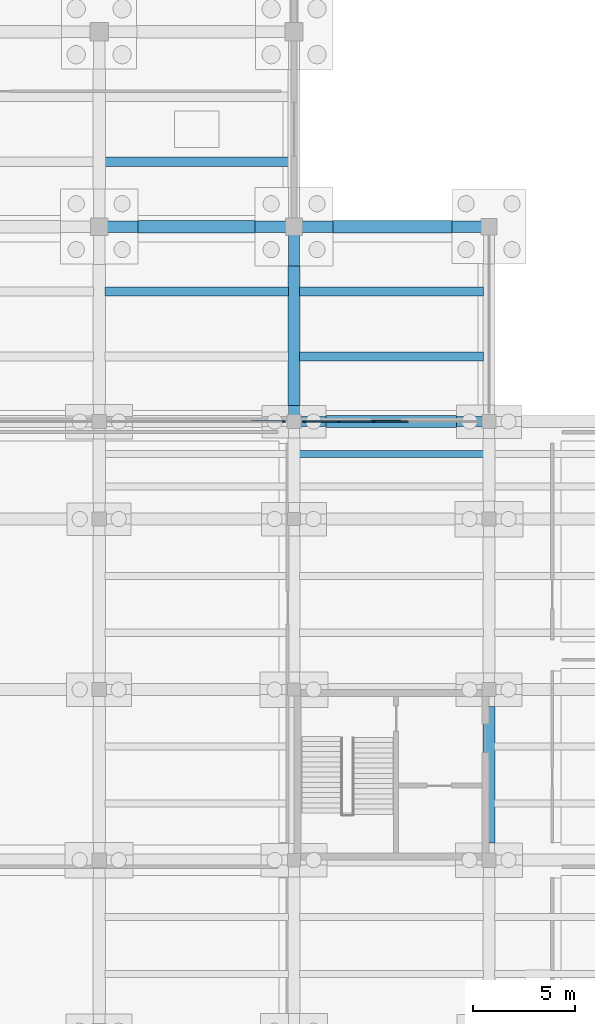
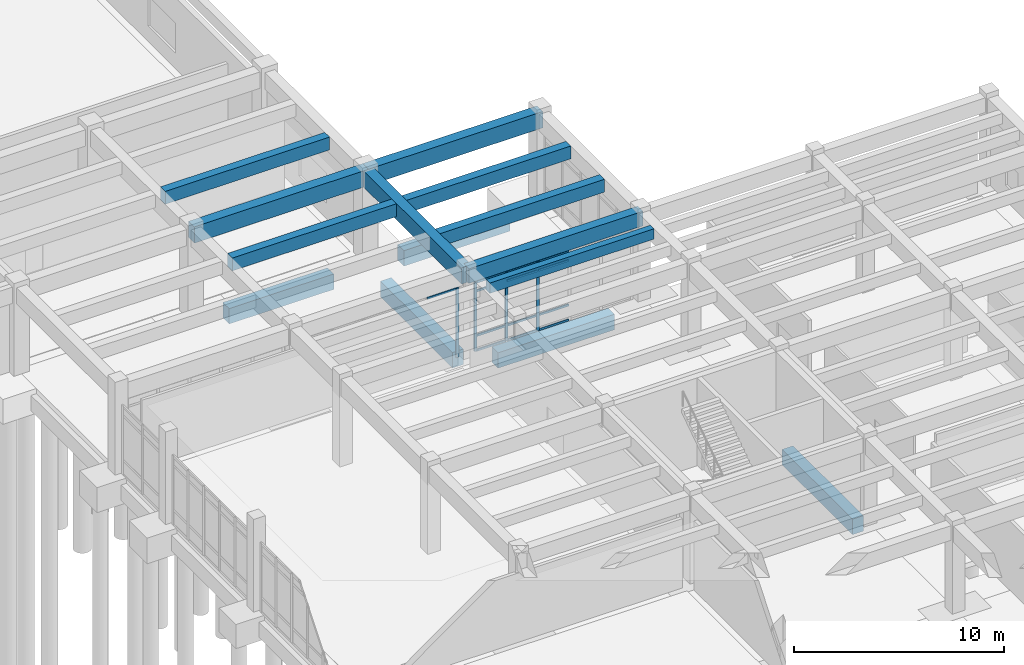
# One storey, part 52 of 102: 17 members, 14 beams, 2 elements without a shape of their own.
"""IFC4 building model written with IfcOpenShell, lengths in metres."""

from ifc_helpers import new_model, si_unit, direction, frame, origin, origin_2d, place, context, subcontext, project, spatial, rectangle, extrude, material, layer, layer_set, material_profile, profile_set, type_object, element, aggregate, save


model = new_model("IFC4")

# Units and contexts
model_context = context("Model", 3, precision=1e-05, world=origin(), true_north=direction((0.0, 1.0)))
body_context = subcontext(model_context, "Body", "Model", "MODEL_VIEW")
ifc_project = project(units=[si_unit("LENGTHUNIT", "METRE"), si_unit("AREAUNIT", "SQUARE_METRE"), si_unit("VOLUMEUNIT", "CUBIC_METRE"), si_unit("PLANEANGLEUNIT", "RADIAN"), si_unit("MASSUNIT", "GRAM", prefix="KILO")], contexts=[model_context])

# Site, building, storey
site_placement = place(None, origin())
site = spatial("IfcSite", under=ifc_project, at=site_placement, CompositionType="ELEMENT")
building_placement = place(site_placement, origin())
building = spatial("IfcBuilding", under=site, at=building_placement, Name="Kolvemor Railside Polytechnic", CompositionType="ELEMENT")
storey_placement = place(building_placement, origin())
storey = spatial("IfcBuildingStorey", under=building, at=storey_placement, Name="L00", CompositionType="ELEMENT", Elevation=0.0)

# Beams
ifc_material_1 = material(Name="Concrete C40/50", Category="concrete")
ifc_material_profile_1 = material_profile(ifc_material_1, rectangle(XDim=0.550048828125, YDim=0.949951171875, at=origin_2d()), Name="RC550x950")
ifc_profile_set_1 = profile_set([ifc_material_profile_1], Name="Concrete C40/50")
beam_type_1 = type_object("IfcBeamType", Name="BM-RC-GIRD", PredefinedType="BEAM", material=ifc_profile_set_1)
beam_1_placement = place(storey_placement, frame((144.0, 91.199951171875, 4.635009765625), z_axis=(1.0, 0.0, 0.0), x_axis=(0.0, 1.0, 0.0)))
element("IfcBeam", 1, at=beam_1_placement, inside=storey, type_object=beam_type_1, Name="Primary Girder L01-GX 0504", PredefinedType="BEAM", context=body_context, shape_type="SweptSolid", body=[
    extrude(rectangle(XDim=0.550048828125, YDim=0.949951171875, at=origin_2d()), origin(), (0.0, 0.0, 1.0), 9.60009765625),
])
for number, where, z_axis, x_axis, name in (
    (2, (153.60009765625, 91.199951171875, 4.635009765625), (1.0, 0.0, 0.0), (0.0, 1.0, 0.0), "Primary Girder L01-GX 1059"),
    (3, (153.60009765625, 81.60009765625, 4.635009765625), (0.0, 1.0, 0.0), (-1.0, 0.0, 0.0), "Primary Girder L01-GY 1062"),
):
    element("IfcBeam", number, at=place(storey_placement, frame(where, z_axis=z_axis, x_axis=x_axis)), inside=storey, type_object=beam_type_1, Name=name, PredefinedType="BEAM", context=body_context, shape_type="SweptSolid", body=[
        extrude(rectangle(XDim=0.550048828125, YDim=0.949951171875, at=origin_2d()), origin(), (0.0, 0.0, 1.0), 9.599853515625),
    ])
ifc_material_2 = material(Name="Concrete C40/50", Category="concrete")
ifc_material_profile_2 = material_profile(ifc_material_2, rectangle(XDim=0.5, YDim=0.85009765625, at=origin_2d()), Name="RC500x850")
ifc_profile_set_2 = profile_set([ifc_material_profile_2], Name="Concrete C40/50")
beam_type_2 = type_object("IfcBeamType", Name="BM-RC-GIRD3", PredefinedType="BEAM", material=ifc_profile_set_2)
beam_2_placement = place(storey_placement, frame((153.60009765625, 81.60009765625, 4.68505859375), z_axis=(1.0, 0.0, 0.0), x_axis=(0.0, 1.0, 0.0)))
element("IfcBeam", 4, at=beam_2_placement, inside=storey, type_object=beam_type_2, Name="Primary Girder L01-GX 0375", PredefinedType="BEAM", context=body_context, shape_type="SweptSolid", body=[
    extrude(rectangle(XDim=0.5, YDim=0.85009765625, at=origin_2d()), origin(), (0.0, 0.0, 1.0), 9.599853515625),
])
ifc_material_3 = material(Name="Concrete C40/50", Category="concrete")
ifc_material_profile_3 = material_profile(ifc_material_3, rectangle(XDim=0.449951171875, YDim=0.75, at=origin_2d()), Name="RC450x750")
ifc_profile_set_3 = profile_set([ifc_material_profile_3], Name="Concrete C40/50")
beam_type_3 = type_object("IfcBeamType", Name="BM-RC-SEC", PredefinedType="JOIST", material=ifc_profile_set_3)
for number, where, z_axis, x_axis, name in (
    (5, (144.27490234375, 94.39990234375, 4.735107421875), (1.0, 0.0, 0.0), (0.0, 1.0, 0.0), "Floor Joist L01-J0556"),
    (6, (144.27490234375, 88.0, 4.735107421875), (1.0, 0.0, 0.0), (0.0, 1.0, 0.0), "Floor Joist L01-J1067"),
    (7, (153.875, 84.800048828125, 4.735107421875), (1.0, 0.0, 0.0), (0.0, 1.0, 0.0), "Floor Joist L01-J1068"),
    (8, (153.875, 88.0, 4.735107421875), (1.0, 0.0, 0.0), (0.0, 1.0, 0.0), "Floor Joist L01-J1069"),
):
    element("IfcBeam", number, at=place(storey_placement, frame(where, z_axis=z_axis, x_axis=x_axis)), inside=storey, type_object=beam_type_3, Name=name, PredefinedType="JOIST", context=body_context, shape_type="SweptSolid", body=[
        extrude(rectangle(XDim=0.449951171875, YDim=0.75, at=origin_2d()), origin(), (0.0, 0.0, 1.0), 9.050048828125),
    ])
ifc_material_4 = material(Name="Concrete C40/50", Category="concrete")
ifc_material_profile_4 = material_profile(ifc_material_4, rectangle(XDim=0.35009765625, YDim=0.60009765625, at=origin_2d()), Name="RC350x600")
ifc_profile_set_4 = profile_set([ifc_material_profile_4], Name="Concrete C40/50")
beam_type_4 = type_object("IfcBeamType", Name="BM-RC-SEC3", PredefinedType="JOIST", material=ifc_profile_set_4)
beam_3_placement = place(storey_placement, frame((153.875, 80.0, 4.81005859375), z_axis=(1.0, 0.0, 0.0), x_axis=(0.0, 1.0, 0.0)))
element("IfcBeam", 9, at=beam_3_placement, inside=storey, type_object=beam_type_4, Name="Floor Joist L01-J0454", PredefinedType="JOIST", context=body_context, shape_type="SweptSolid", body=[
    extrude(rectangle(XDim=0.35009765625, YDim=0.60009765625, at=origin_2d()), origin(), (0.0, 0.0, 1.0), 9.050048828125),
])
ifc_material_5 = material(Name="Concrete C40/50", Category="concrete")
ifc_material_profile_5 = material_profile(ifc_material_5, rectangle(XDim=0.60009765625, YDim=0.89990234375, at=origin_2d()), Name="RC600x900")
ifc_profile_set_5 = profile_set([ifc_material_profile_5], Name="Concrete C40/50")
beam_type_5 = type_object("IfcBeamType", Name="BM-RC-TIE", PredefinedType="BEAM", material=ifc_profile_set_5)
beam_4_placement = place(storey_placement, frame((155.177001953125, 81.60009765625, -0.75), z_axis=(1.0, 0.0, 0.0), x_axis=(0.0, 1.0, 0.0)))
element("IfcBeam", 10, at=beam_4_placement, inside=storey, type_object=beam_type_5, Name="Ground Tie Beam GTB-X182", PredefinedType="BEAM", context=body_context, shape_type="SweptSolid", body=[
    extrude(rectangle(XDim=0.60009765625, YDim=0.89990234375, at=origin_2d()), origin(), (0.0, 0.0, 1.0), 6.4208984375),
])
beam_5_placement = place(storey_placement, frame((145.902099609375, 91.199951171875, -0.75), z_axis=(1.0, 0.0, 0.0), x_axis=(0.0, 1.0, 0.0)))
element("IfcBeam", 11, at=beam_5_placement, inside=storey, type_object=beam_type_5, Name="Ground Tie Beam GTB-X198", PredefinedType="BEAM", context=body_context, shape_type="SweptSolid", body=[
    extrude(rectangle(XDim=0.60009765625, YDim=0.89990234375, at=origin_2d()), origin(), (0.0, 0.0, 1.0), 5.77099609375),
])
beam_6_placement = place(storey_placement, frame((155.527099609375, 91.199951171875, -0.75), z_axis=(1.0, 0.0, 0.0), x_axis=(0.0, 1.0, 0.0)))
element("IfcBeam", 12, at=beam_6_placement, inside=storey, type_object=beam_type_5, Name="Ground Tie Beam GTB-X199", PredefinedType="BEAM", context=body_context, shape_type="SweptSolid", body=[
    extrude(rectangle(XDim=0.60009765625, YDim=0.89990234375, at=origin_2d()), origin(), (0.0, 0.0, 1.0), 5.845947265625),
])
beam_7_placement = place(storey_placement, frame((153.60009765625, 82.402099609375, -0.75), z_axis=(0.0, 1.0, 0.0), x_axis=(-1.0, 0.0, 0.0)))
element("IfcBeam", 13, at=beam_7_placement, inside=storey, type_object=beam_type_5, Name="Ground Tie Beam GTB-Y414", PredefinedType="BEAM", context=body_context, shape_type="SweptSolid", body=[
    extrude(rectangle(XDim=0.60009765625, YDim=0.89990234375, at=origin_2d()), origin(), (0.0, 0.0, 1.0), 6.870849609375),
])
beam_8_placement = place(storey_placement, frame((163.199951171875, 60.85205078125, -0.75), z_axis=(0.0, 1.0, 0.0), x_axis=(-1.0, 0.0, 0.0)))
element("IfcBeam", 14, at=beam_8_placement, inside=storey, type_object=beam_type_5, Name="Ground Tie Beam GTB-Y424", PredefinedType="BEAM", context=body_context, shape_type="SweptSolid", body=[
    extrude(rectangle(XDim=0.60009765625, YDim=0.89990234375, at=origin_2d()), origin(), (0.0, 0.0, 1.0), 6.720947265625),
])

# Curtain wall, member
ifc_material_6 = material(Name="Anodised marine aluminium and laminated low-E glass", Category="aluminium")
ifc_layer = layer(ifc_material_6, 0.179931640625, Name="CW-UNIT-STD")
ifc_layer_set = layer_set([ifc_layer], Name="Anodised marine aluminium and laminated low-E glass")
curtain_wall_type = type_object("IfcCurtainWallType", Name="CW-UNIT-STD", PredefinedType="USERDEFINED", material=ifc_layer_set)
curtain_wall_1_placement = place(storey_placement, origin())
curtain_wall_1 = element("IfcCurtainWall", 15, at=curtain_wall_1_placement, inside=storey, type_object=curtain_wall_type, Name="Curtain Wall L00-032", ObjectType="UNITISED CURTAIN WALL", PredefinedType="USERDEFINED")
ifc_material_7 = material(Name="Anodised marine aluminium 6063-T6", Category="aluminium")
ifc_material_profile_6 = material_profile(ifc_material_7, rectangle(XDim=0.06494140625, YDim=0.14990234375, at=origin_2d()), Name="CW-MUL-65x150")
ifc_profile_set_6 = profile_set([ifc_material_profile_6], Name="Anodised marine aluminium 6063-T6")
member_type_1 = type_object("IfcMemberType", Name="CWM-65x150", PredefinedType="MULLION", material=ifc_profile_set_6)
member_1_placement = place(storey_placement, frame((153.097412109375, 81.60009765625, 0.0), z_axis=(0.0, 0.0, 1.0), x_axis=(0.0, -1.0, 0.0)))
member_1 = element("IfcMember", 16, at=member_1_placement, type_object=member_type_1, Name="CW-STD mullion 1", PredefinedType="MULLION", context=body_context, shape_type="SweptSolid", body=[
    extrude(rectangle(XDim=0.06494140625, YDim=0.14990234375, at=origin_2d()), origin(), (0.0, 0.0, 1.0), 4.0400390625),
])

# Curtain wall, members
curtain_wall_2_placement = place(storey_placement, origin())
curtain_wall_2 = element("IfcCurtainWall", 17, at=curtain_wall_2_placement, inside=storey, type_object=curtain_wall_type, Name="Curtain Wall L00-033", ObjectType="UNITISED CURTAIN WALL", PredefinedType="USERDEFINED")
member_2_placement = place(storey_placement, frame((157.533935546875, 81.60009765625, 0.0), z_axis=(0.0, 0.0, 1.0), x_axis=(0.0, -1.0, 0.0)))
member_2 = element("IfcMember", 18, at=member_2_placement, type_object=member_type_1, Name="CW-STD mullion 4", PredefinedType="MULLION", context=body_context, shape_type="SweptSolid", body=[
    extrude(rectangle(XDim=0.06494140625, YDim=0.14990234375, at=origin_2d()), origin(), (0.0, 0.0, 1.0), 4.0400390625),
])
member_3_placement = place(storey_placement, frame((155.802001953125, 81.60009765625, 0.0), z_axis=(0.0, 0.0, 1.0), x_axis=(0.0, -1.0, 0.0)))
member_3 = element("IfcMember", 19, at=member_3_placement, type_object=member_type_1, Name="CW-STD mullion 5", PredefinedType="MULLION", context=body_context, shape_type="SweptSolid", body=[
    extrude(rectangle(XDim=0.06494140625, YDim=0.14990234375, at=origin_2d()), origin(), (0.0, 0.0, 1.0), 4.0400390625),
])
member_4_placement = place(storey_placement, frame((154.1025390625, 81.60009765625, 0.0), z_axis=(0.0, 0.0, 1.0), x_axis=(0.0, -1.0, 0.0)))
member_4 = element("IfcMember", 20, at=member_4_placement, type_object=member_type_1, Name="CW-STD mullion 6", PredefinedType="MULLION", context=body_context, shape_type="SweptSolid", body=[
    extrude(rectangle(XDim=0.06494140625, YDim=0.14990234375, at=origin_2d()), origin(), (0.0, 0.0, 1.0), 4.0400390625),
])

# Member
ifc_material_8 = material(Name="Anodised marine aluminium 6063-T6", Category="aluminium")
ifc_material_profile_7 = material_profile(ifc_material_8, rectangle(XDim=0.06494140625, YDim=0.1201171875, at=origin_2d()), Name="CW-TRN-65x120")
ifc_profile_set_7 = profile_set([ifc_material_profile_7], Name="Anodised marine aluminium 6063-T6")
member_type_2 = type_object("IfcMemberType", Name="CWT-65x120", PredefinedType="USERDEFINED", material=ifc_profile_set_7)
member_5_placement = place(storey_placement, frame((153.06494140625, 81.60009765625, 4.007568359375), z_axis=(-1.0, 0.0, 0.0), x_axis=(0.0, -1.0, 0.0)))
member_5 = element("IfcMember", 21, at=member_5_placement, type_object=member_type_2, Name="CW-STD transom 1.4", ObjectType="TRANSOM", PredefinedType="USERDEFINED", context=body_context, shape_type="SweptSolid", body=[
    extrude(rectangle(XDim=0.06494140625, YDim=0.1201171875, at=origin_2d()), origin(), (0.0, 0.0, 1.0), 1.634521484375),
])

aggregate(curtain_wall_1, [member_1, member_5])

member_6_placement = place(storey_placement, frame((159.2333984375, 81.60009765625, 0.032470703125), z_axis=(-1.0, 0.0, 0.0), x_axis=(0.0, -1.0, 0.0)))
member_6 = element("IfcMember", 22, at=member_6_placement, type_object=member_type_2, Name="CW-STD transom 3.1", ObjectType="TRANSOM", PredefinedType="USERDEFINED", context=body_context, shape_type="SweptSolid", body=[
    extrude(rectangle(XDim=0.06494140625, YDim=0.1201171875, at=origin_2d()), origin(), (0.0, 0.0, 1.0), 1.6669921875),
])

member_7_placement = place(storey_placement, frame((159.2333984375, 81.60009765625, 0.89990234375), z_axis=(-1.0, 0.0, 0.0), x_axis=(0.0, -1.0, 0.0)))
member_7 = element("IfcMember", 23, at=member_7_placement, type_object=member_type_2, Name="CW-STD transom 3.2", ObjectType="TRANSOM", PredefinedType="USERDEFINED", context=body_context, shape_type="SweptSolid", body=[
    extrude(rectangle(XDim=0.06494140625, YDim=0.1201171875, at=origin_2d()), origin(), (0.0, 0.0, 1.0), 1.6669921875),
])

member_8_placement = place(storey_placement, frame((159.2333984375, 81.60009765625, 3.489990234375), z_axis=(-1.0, 0.0, 0.0), x_axis=(0.0, -1.0, 0.0)))
member_8 = element("IfcMember", 24, at=member_8_placement, type_object=member_type_2, Name="CW-STD transom 3.3", ObjectType="TRANSOM", PredefinedType="USERDEFINED", context=body_context, shape_type="SweptSolid", body=[
    extrude(rectangle(XDim=0.06494140625, YDim=0.1201171875, at=origin_2d()), origin(), (0.0, 0.0, 1.0), 1.6669921875),
])

member_9_placement = place(storey_placement, frame((159.2333984375, 81.60009765625, 4.007568359375), z_axis=(-1.0, 0.0, 0.0), x_axis=(0.0, -1.0, 0.0)))
member_9 = element("IfcMember", 25, at=member_9_placement, type_object=member_type_2, Name="CW-STD transom 3.4", ObjectType="TRANSOM", PredefinedType="USERDEFINED", context=body_context, shape_type="SweptSolid", body=[
    extrude(rectangle(XDim=0.06494140625, YDim=0.1201171875, at=origin_2d()), origin(), (0.0, 0.0, 1.0), 1.6669921875),
])

member_10_placement = place(storey_placement, frame((157.50146484375, 81.60009765625, 0.032470703125), z_axis=(-1.0, 0.0, 0.0), x_axis=(0.0, -1.0, 0.0)))
member_10 = element("IfcMember", 26, at=member_10_placement, type_object=member_type_2, Name="CW-STD transom 4.1", ObjectType="TRANSOM", PredefinedType="USERDEFINED", context=body_context, shape_type="SweptSolid", body=[
    extrude(rectangle(XDim=0.06494140625, YDim=0.1201171875, at=origin_2d()), origin(), (0.0, 0.0, 1.0), 1.6669921875),
])

member_11_placement = place(storey_placement, frame((157.50146484375, 81.60009765625, 0.89990234375), z_axis=(-1.0, 0.0, 0.0), x_axis=(0.0, -1.0, 0.0)))
member_11 = element("IfcMember", 27, at=member_11_placement, type_object=member_type_2, Name="CW-STD transom 4.2", ObjectType="TRANSOM", PredefinedType="USERDEFINED", context=body_context, shape_type="SweptSolid", body=[
    extrude(rectangle(XDim=0.06494140625, YDim=0.1201171875, at=origin_2d()), origin(), (0.0, 0.0, 1.0), 1.6669921875),
])

member_12_placement = place(storey_placement, frame((157.50146484375, 81.60009765625, 3.489990234375), z_axis=(-1.0, 0.0, 0.0), x_axis=(0.0, -1.0, 0.0)))
member_12 = element("IfcMember", 28, at=member_12_placement, type_object=member_type_2, Name="CW-STD transom 4.3", ObjectType="TRANSOM", PredefinedType="USERDEFINED", context=body_context, shape_type="SweptSolid", body=[
    extrude(rectangle(XDim=0.06494140625, YDim=0.1201171875, at=origin_2d()), origin(), (0.0, 0.0, 1.0), 1.6669921875),
])

member_13_placement = place(storey_placement, frame((157.50146484375, 81.60009765625, 4.007568359375), z_axis=(-1.0, 0.0, 0.0), x_axis=(0.0, -1.0, 0.0)))
member_13 = element("IfcMember", 29, at=member_13_placement, type_object=member_type_2, Name="CW-STD transom 4.4", ObjectType="TRANSOM", PredefinedType="USERDEFINED", context=body_context, shape_type="SweptSolid", body=[
    extrude(rectangle(XDim=0.06494140625, YDim=0.1201171875, at=origin_2d()), origin(), (0.0, 0.0, 1.0), 1.6669921875),
])

member_14_placement = place(storey_placement, frame((155.76953125, 81.60009765625, 0.032470703125), z_axis=(-1.0, 0.0, 0.0), x_axis=(0.0, -1.0, 0.0)))
member_14 = element("IfcMember", 30, at=member_14_placement, type_object=member_type_2, Name="CW-STD transom 5.1", ObjectType="TRANSOM", PredefinedType="USERDEFINED", context=body_context, shape_type="SweptSolid", body=[
    extrude(rectangle(XDim=0.06494140625, YDim=0.1201171875, at=origin_2d()), origin(), (0.0, 0.0, 1.0), 1.634521484375),
])

member_15_placement = place(storey_placement, frame((155.76953125, 81.60009765625, 0.89990234375), z_axis=(-1.0, 0.0, 0.0), x_axis=(0.0, -1.0, 0.0)))
member_15 = element("IfcMember", 31, at=member_15_placement, type_object=member_type_2, Name="CW-STD transom 5.2", ObjectType="TRANSOM", PredefinedType="USERDEFINED", context=body_context, shape_type="SweptSolid", body=[
    extrude(rectangle(XDim=0.06494140625, YDim=0.1201171875, at=origin_2d()), origin(), (0.0, 0.0, 1.0), 1.634521484375),
])

member_16_placement = place(storey_placement, frame((155.76953125, 81.60009765625, 3.489990234375), z_axis=(-1.0, 0.0, 0.0), x_axis=(0.0, -1.0, 0.0)))
member_16 = element("IfcMember", 32, at=member_16_placement, type_object=member_type_2, Name="CW-STD transom 5.3", ObjectType="TRANSOM", PredefinedType="USERDEFINED", context=body_context, shape_type="SweptSolid", body=[
    extrude(rectangle(XDim=0.06494140625, YDim=0.1201171875, at=origin_2d()), origin(), (0.0, 0.0, 1.0), 1.634521484375),
])

member_17_placement = place(storey_placement, frame((155.76953125, 81.60009765625, 4.007568359375), z_axis=(-1.0, 0.0, 0.0), x_axis=(0.0, -1.0, 0.0)))
member_17 = element("IfcMember", 33, at=member_17_placement, type_object=member_type_2, Name="CW-STD transom 5.4", ObjectType="TRANSOM", PredefinedType="USERDEFINED", context=body_context, shape_type="SweptSolid", body=[
    extrude(rectangle(XDim=0.06494140625, YDim=0.1201171875, at=origin_2d()), origin(), (0.0, 0.0, 1.0), 1.634521484375),
])

aggregate(curtain_wall_2, [member_2, member_3, member_4, member_6, member_7, member_8, member_9, member_10, member_11, member_12, member_13, member_14, member_15, member_16, member_17])

save(model, "model.ifc")
